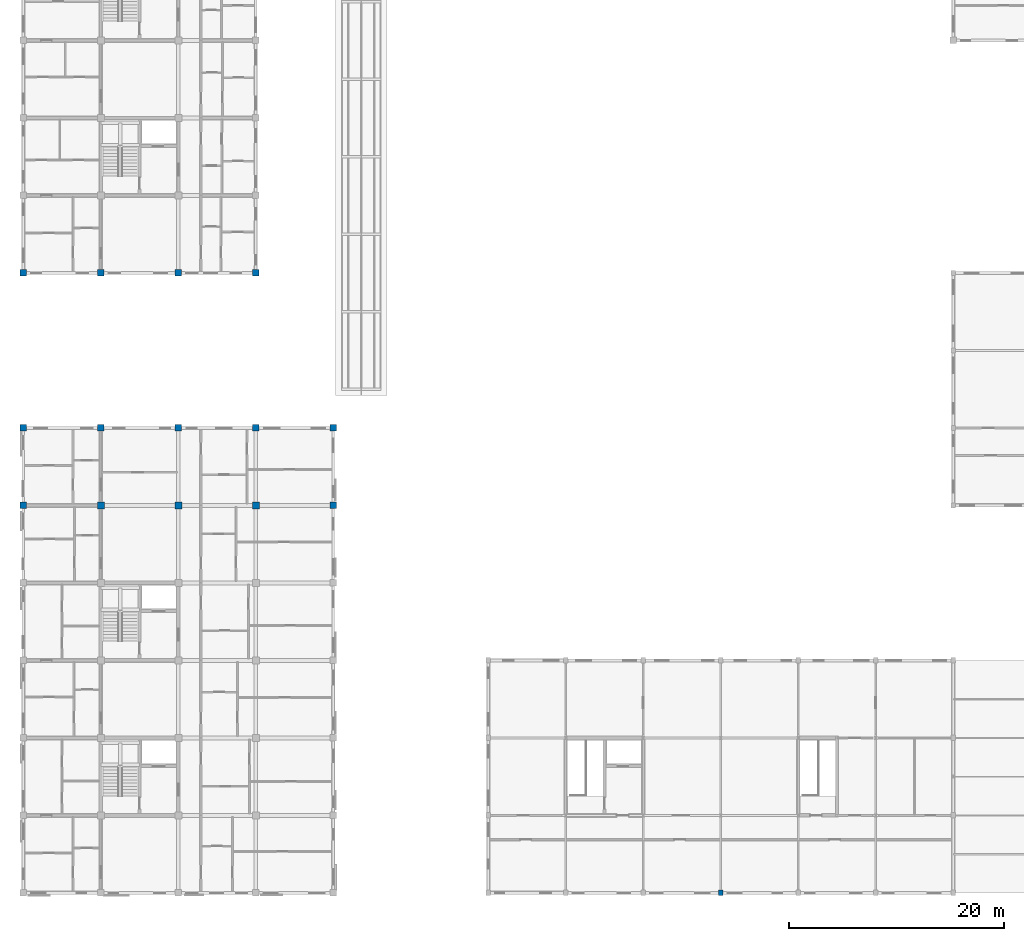
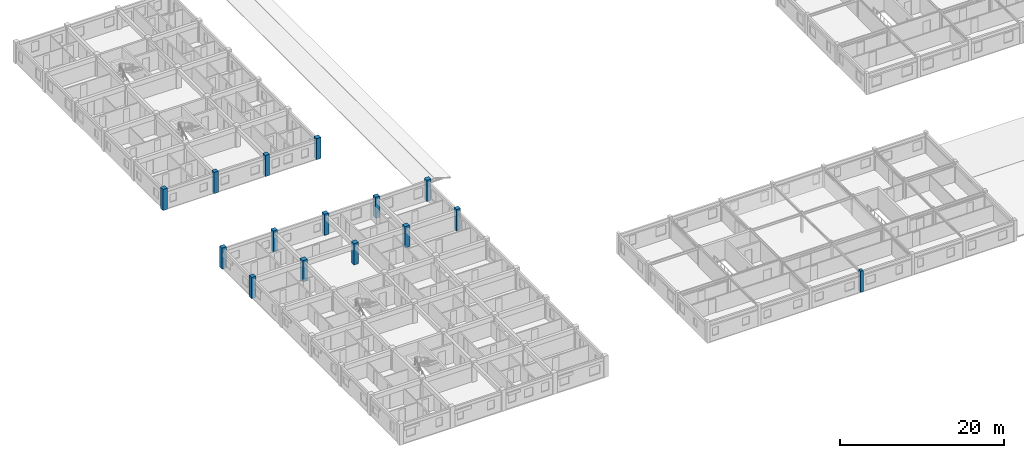
# One storey, part 3 of 50: 15 columns.
"""IFC4 building model written with IfcOpenShell, lengths in metres."""

from ifc_helpers import new_model, si_unit, direction, frame, origin, origin_2d, place, context, subcontext, project, spatial, rectangle, extrude, material, material_profile, profile_set, type_object, element, save


model = new_model("IFC4")

# Units and contexts
model_context = context("Model", 3, precision=1e-05, world=origin(), true_north=direction((0.0, 1.0)))
body_context = subcontext(model_context, "Body", "Model", "MODEL_VIEW")
ifc_project = project(units=[si_unit("LENGTHUNIT", "METRE"), si_unit("AREAUNIT", "SQUARE_METRE"), si_unit("VOLUMEUNIT", "CUBIC_METRE"), si_unit("PLANEANGLEUNIT", "RADIAN"), si_unit("MASSUNIT", "GRAM", prefix="KILO"), si_unit("THERMODYNAMICTEMPERATUREUNIT", "KELVIN"), si_unit("POWERUNIT", "WATT")], contexts=[model_context])

# Site, building, storey
site_placement = place(None, origin())
site = spatial("IfcSite", under=ifc_project, at=site_placement, CompositionType="ELEMENT")
building_placement = place(site_placement, origin())
building = spatial("IfcBuilding", under=site, at=building_placement, Name="Tavuni Mirador Residences", CompositionType="ELEMENT")
storey_placement = place(building_placement, frame((0.0, 0.0, 4.5)))
storey = spatial("IfcBuildingStorey", under=building, at=storey_placement, Name="L01", CompositionType="ELEMENT", Elevation=4.5)

# Columns
ifc_material_1 = material(Name="Precast concrete C40/50", Category="concrete")
ifc_material_profile_1 = material_profile(ifc_material_1, rectangle(XDim=0.39990234375, YDim=0.5, at=origin_2d()), Name="PC 400x500", Category="concrete")
ifc_profile_set_1 = profile_set([ifc_material_profile_1], Name="Precast concrete C40/50")
column_type_1 = type_object("IfcColumnType", Name="CT-PC400X500", PredefinedType="COLUMN", material=ifc_profile_set_1)
column_placement = place(storey_placement, frame((68.39990234375, 7.199951171875, 0.0), z_axis=(0.0, 0.0, 1.0), x_axis=(1.0, 0.0, 0.0)))
element("IfcColumn", 1, at=column_placement, inside=storey, type_object=column_type_1, Name="COL-PAV-SHOP-L01-03-00", PredefinedType="COLUMN", context=body_context, shape_type="SweptSolid", body=[
    extrude(rectangle(XDim=0.39990234375, YDim=0.5, at=origin_2d()), origin(), (0.0, 0.0, 1.0), 3.14990234375),
])
ifc_material_profile_2 = material_profile(ifc_material_1, rectangle(XDim=0.60009765625, YDim=0.60009765625, at=origin_2d()), Name="RC 600x600", Category="concrete")
ifc_profile_set_2 = profile_set([ifc_material_profile_2], Name="Precast concrete C40/50")
column_type_2 = type_object("IfcColumnType", Name="CT-RC600", PredefinedType="COLUMN", material=ifc_profile_set_2)
for number, where, z_axis, x_axis, name in (
    (2, (3.60009765625, 43.199951171875, 0.0), (0.0, 0.0, 1.0), (1.0, 0.0, 0.0), "COL-BLK-A-L01-00-05"),
    (3, (3.60009765625, 50.39990234375, 0.0), (0.0, 0.0, 1.0), (1.0, 0.0, 0.0), "COL-BLK-A-L01-00-06"),
    (4, (10.800048828125, 50.39990234375, 0.0), (0.0, 0.0, 1.0), (1.0, 0.0, 0.0), "COL-BLK-A-L01-01-06"),
    (5, (18.0, 50.39990234375, 0.0), (0.0, 0.0, 1.0), (1.0, 0.0, 0.0), "COL-BLK-A-L01-02-06"),
    (6, (25.199951171875, 50.39990234375, 0.0), (0.0, 0.0, 1.0), (1.0, 0.0, 0.0), "COL-BLK-A-L01-03-06"),
    (7, (32.39990234375, 43.199951171875, 0.0), (0.0, 0.0, 1.0), (1.0, 0.0, 0.0), "COL-BLK-A-L01-04-05"),
    (8, (32.39990234375, 50.39990234375, 0.0), (0.0, 0.0, 1.0), (1.0, 0.0, 0.0), "COL-BLK-A-L01-04-06"),
    (9, (3.60009765625, 64.800048828125, 0.0), (0.0, 0.0, 1.0), (1.0, 0.0, 0.0), "COL-BLK-B-L01-00-00"),
    (10, (10.800048828125, 64.800048828125, 0.0), (0.0, 0.0, 1.0), (1.0, 0.0, 0.0), "COL-BLK-B-L01-01-00"),
    (11, (18.0, 64.800048828125, 0.0), (0.0, 0.0, 1.0), (1.0, 0.0, 0.0), "COL-BLK-B-L01-02-00"),
    (12, (25.199951171875, 64.800048828125, 0.0), (0.0, 0.0, 1.0), (1.0, 0.0, 0.0), "COL-BLK-B-L01-03-00"),
):
    element("IfcColumn", number, at=place(storey_placement, frame(where, z_axis=z_axis, x_axis=x_axis)), inside=storey, type_object=column_type_2, Name=name, PredefinedType="COLUMN", context=body_context, shape_type="SweptSolid", body=[
        extrude(rectangle(XDim=0.60009765625, YDim=0.60009765625, at=origin_2d()), origin(), (0.0, 0.0, 1.0), 3.14990234375),
    ])
ifc_material_2 = material(Name="In-situ concrete C35/45", Category="concrete")
ifc_material_profile_3 = material_profile(ifc_material_2, rectangle(XDim=0.64990234375, YDim=0.64990234375, at=origin_2d()), Name="RC 650x650", Category="concrete")
ifc_profile_set_3 = profile_set([ifc_material_profile_3], Name="In-situ concrete C35/45")
column_type_3 = type_object("IfcColumnType", Name="CT-RC650", PredefinedType="COLUMN", material=ifc_profile_set_3)
for number, where, z_axis, x_axis, name in (
    (13, (10.800048828125, 43.199951171875, 0.0), (0.0, 0.0, 1.0), (1.0, 0.0, 0.0), "COL-BLK-A-L01-01-05"),
    (14, (18.0, 43.199951171875, 0.0), (0.0, 0.0, 1.0), (1.0, 0.0, 0.0), "COL-BLK-A-L01-02-05"),
    (15, (25.199951171875, 43.199951171875, 0.0), (0.0, 0.0, 1.0), (1.0, 0.0, 0.0), "COL-BLK-A-L01-03-05"),
):
    element("IfcColumn", number, at=place(storey_placement, frame(where, z_axis=z_axis, x_axis=x_axis)), inside=storey, type_object=column_type_3, Name=name, PredefinedType="COLUMN", context=body_context, shape_type="SweptSolid", body=[
        extrude(rectangle(XDim=0.64990234375, YDim=0.64990234375, at=origin_2d()), origin(), (0.0, 0.0, 1.0), 3.14990234375),
    ])

save(model, "model.ifc")
